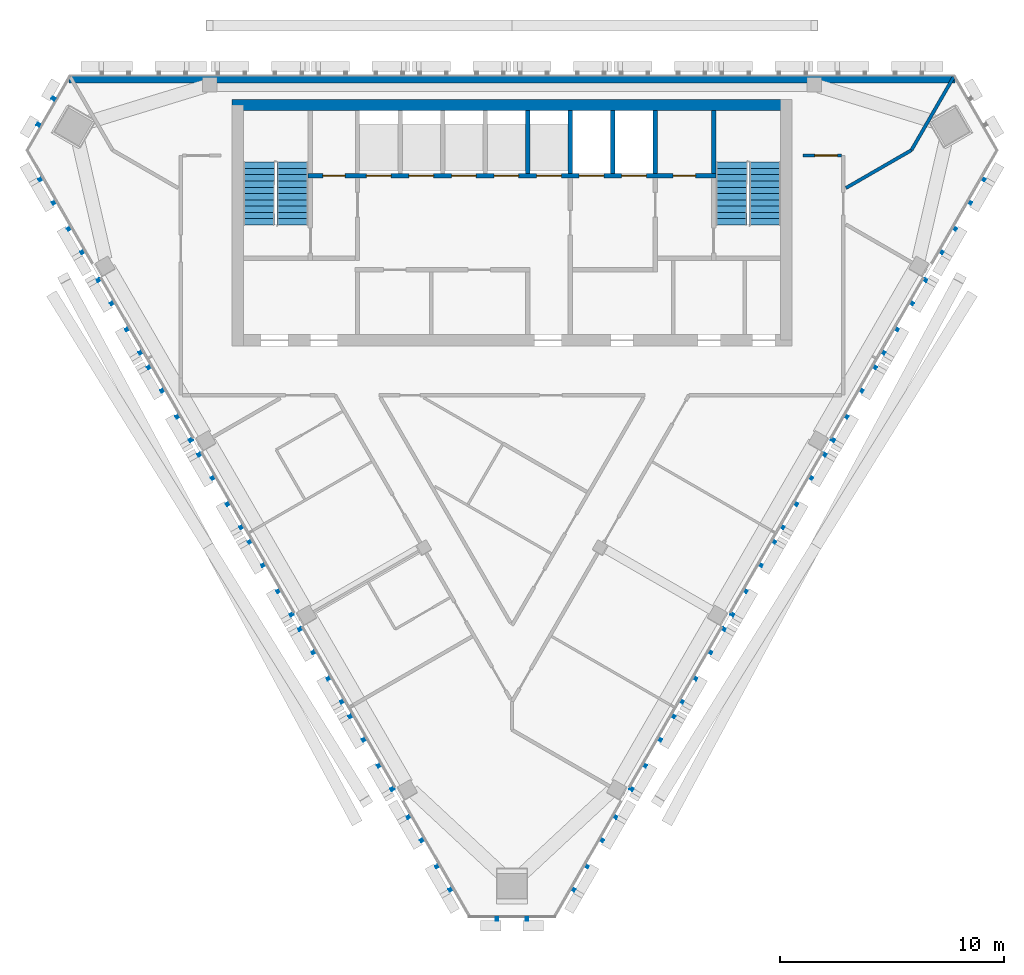
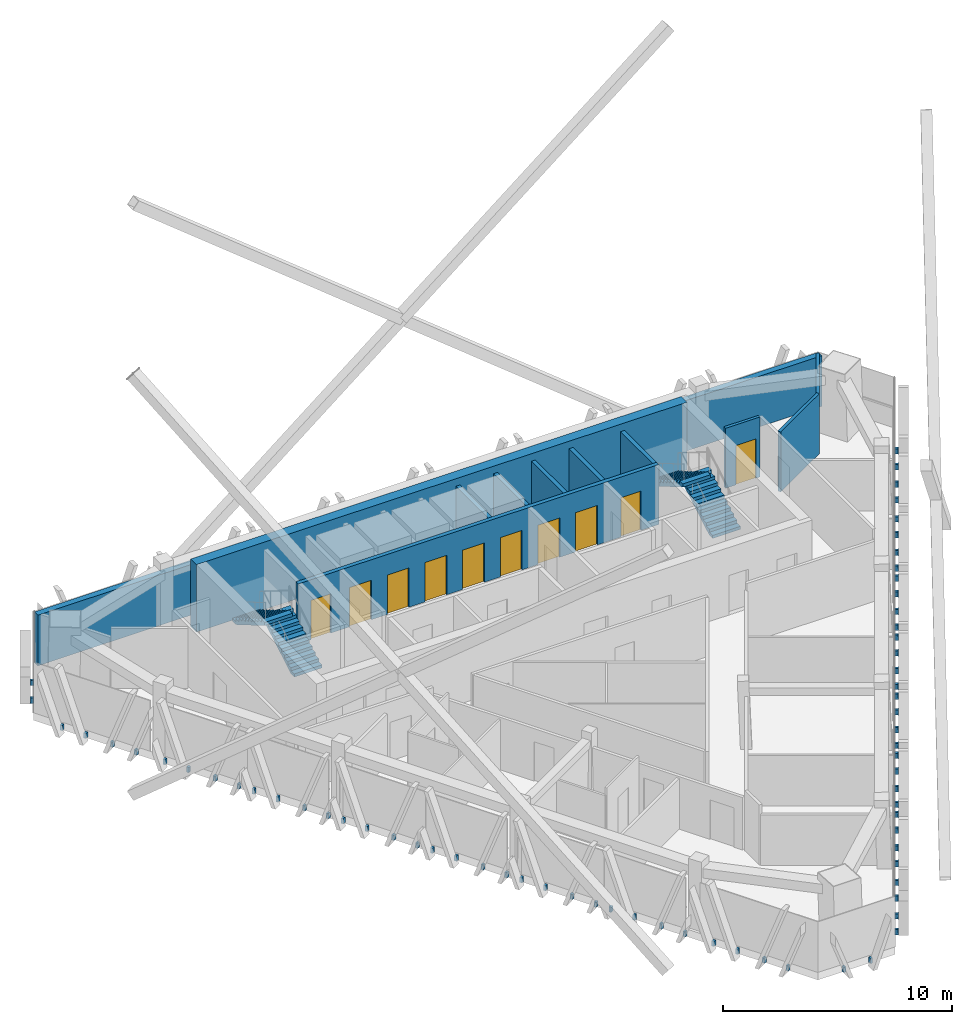
# One storey, part 8 of 12: 11 walls, 10 doors, 4 discrete accessories, 4 stair flights, 10 openings, 2 elements without a shape of their own.
"""IFC4 building model written with IfcOpenShell, lengths in metres."""

from ifc_helpers import new_model, si_unit, direction, frame, frame_2d, origin, place, context, subcontext, project, spatial, polyline, rectangle, outline, extrude, source, transform, mapped, material, layer, layer_set, type_object, element, fill, aggregate, save


model = new_model("IFC4")

# Units and contexts
model_context = context("Model", 3, precision=1e-05, world=origin(), true_north=direction((0.0, 1.0)))
body_context = subcontext(model_context, "Body", "Model", "MODEL_VIEW")
ifc_project = project(units=[si_unit("LENGTHUNIT", "METRE"), si_unit("AREAUNIT", "SQUARE_METRE"), si_unit("VOLUMEUNIT", "CUBIC_METRE"), si_unit("PLANEANGLEUNIT", "RADIAN"), si_unit("MASSUNIT", "GRAM", prefix="KILO")], contexts=[model_context])

# Site, building, storey
site_placement = place(None, origin())
site = spatial("IfcSite", under=ifc_project, at=site_placement, CompositionType="ELEMENT")
building_placement = place(site_placement, origin())
building = spatial("IfcBuilding", under=site, at=building_placement, Name="Altiplano Prism Tower", CompositionType="ELEMENT")
storey_placement = place(building_placement, frame((0.0, 0.0, 313.0)))
storey = spatial("IfcBuildingStorey", under=building, at=storey_placement, Name="L81", CompositionType="ELEMENT", Elevation=313.0)

# Wall
ifc_material_1 = material(Name="Concrete C60/75", Category="concrete")
ifc_layer_1 = layer(ifc_material_1, 0.5)
ifc_layer_set_1 = layer_set([ifc_layer_1], Name="Concrete C60/75")
wall_type_1 = type_object("IfcWallType", Name="Core wall 500", PredefinedType="SHEAR", material=ifc_layer_set_1)
wall_1_placement = place(storey_placement, frame((97.25, 103.64990234375, 0.0), z_axis=(0.0, 0.0, 1.0), x_axis=(-1.0, 0.0, 0.0)))
element("IfcWall", 1, at=wall_1_placement, inside=storey, type_object=wall_type_1, Name="Core wall N L81", PredefinedType="SHEAR", context=body_context, shape_type="SweptSolid", body=[
    extrude(rectangle(XDim=24.75, YDim=0.5, at=frame_2d((12.375, 0.0))), origin(), (0.0, 0.0, 1.0), 3.60009765625),
])

# Wall, opening, door
ifc_material_2 = material(Name="Plasterboard on steel stud", Category="steel")
ifc_layer_2 = layer(ifc_material_2, 0.14990234375)
ifc_layer_set_2 = layer_set([ifc_layer_2], Name="Plasterboard on steel stud")
wall_type_2 = type_object("IfcWallType", Name="Partition 150 corridor", PredefinedType="PARTITIONING", material=ifc_layer_set_2)
wall_2_placement = place(storey_placement, frame((99.7255859375, 101.40087890625, 0.0), z_axis=(0.0, 0.0, 1.0), x_axis=(-1.0, 0.0, 0.0)))
wall_2 = element("IfcWall", 2, at=wall_2_placement, inside=storey, type_object=wall_type_2, Name="Partition P06 L81 014", PredefinedType="PARTITIONING", context=body_context, shape_type="SweptSolid", body=[
    extrude(rectangle(XDim=1.7255859375, YDim=0.14990234375, at=frame_2d((0.86279296875, 0.0))), origin(), (0.0, 0.0, 1.0), 3.199951171875),
])
opening_1_placement = place(wall_2_placement, frame((0.199951171875, 0.0, 0.0)))
opening_1 = element("IfcOpeningElement", 3, at=opening_1_placement, cuts=wall_2, Name="Opening D2406", PredefinedType="OPENING", context=body_context, shape_type="SweptSolid", body=[
    extrude(rectangle(XDim=1.0, YDim=2.10009765625, at=frame_2d((0.5, 1.050048828125))), frame((0.0, 0.08544921875, 0.0), z_axis=(0.0, -1.0, 0.0), x_axis=(1.0, 0.0, 0.0)), (0.0, 0.0, 1.0), 0.1708984375),
])
ifc_material_3 = material(Name="Timber", Category="wood")
door_type_1 = type_object("IfcDoorType", Name="Store door 1000 x 2100", OperationType="NOTDEFINED", PredefinedType="NOTDEFINED", material=ifc_material_3)
door_1_placement = place(opening_1_placement, origin())
door_1 = element("IfcDoor", 4, at=door_1_placement, inside=storey, type_object=door_type_1, Name="Door D2406", OperationType="SINGLE_SWING_RIGHT", OverallHeight=2.10009765625, OverallWidth=1.0, PredefinedType="NOTDEFINED", context=body_context, shape_type="SweptSolid", body=[
    extrude(rectangle(XDim=1.0, YDim=2.10009765625, at=frame_2d((0.5, 1.050048828125))), frame((0.0, 0.02490234375, 0.0), z_axis=(0.0, -1.0, 0.0), x_axis=(1.0, 0.0, 0.0)), (0.0, 0.0, 1.0), 0.050048828125),
])
fill(opening_1, door_1)

# Walls
ifc_layer_3 = layer(ifc_material_2, 0.14990234375)
ifc_layer_set_3 = layer_set([ifc_layer_3], Name="Plasterboard on steel stud")
wall_type_3 = type_object("IfcWallType", Name="Partition 150 party", PredefinedType="PARTITIONING", material=ifc_layer_set_3)
wall_3_placement = place(storey_placement, frame((104.720703125, 104.89990234375, 0.0), z_axis=(0.0, 0.0, 1.0), x_axis=(-0.499984077514, -0.866034596441, 0.0)))
element("IfcWall", 5, at=wall_3_placement, inside=storey, type_object=wall_type_3, Name="Partition P01 L81 035", PredefinedType="PARTITIONING", context=body_context, shape_type="SweptSolid", body=[
    extrude(rectangle(XDim=3.76953125, YDim=0.14990234375, at=frame_2d((1.884765625, 0.0))), origin(), (0.0, 0.0, 1.0), 2.699951171875),
])
wall_4_placement = place(storey_placement, frame((102.8359375, 101.63525390625, 0.0), z_axis=(0.0, 0.0, 1.0), x_axis=(-0.866026575979, -0.499997969693, 0.0)))
element("IfcWall", 6, at=wall_4_placement, inside=storey, type_object=wall_type_3, Name="Partition P01 L81 036", PredefinedType="PARTITIONING", context=body_context, shape_type="SweptSolid", body=[
    extrude(rectangle(XDim=3.375, YDim=0.14990234375, at=frame_2d((1.6875, 0.0))), origin(), (0.0, 0.0, 1.0), 3.199951171875),
])
ifc_layer_4 = layer(ifc_material_1, 0.199951171875)
ifc_layer_set_4 = layer_set([ifc_layer_4], Name="Concrete C60/75")
wall_type_4 = type_object("IfcWallType", Name="Shaft wall 200", PredefinedType="SOLIDWALL", material=ifc_layer_set_4)
for number, where, z_axis, x_axis, name in (
    (7, (85.699951171875, 100.60009765625, 0.0), (0.0, 0.0, 1.0), (0.0, 1.0, 0.0), "Shaft wall L81"),
    (8, (87.60009765625, 100.60009765625, 0.0), (0.0, 0.0, 1.0), (0.0, 1.0, 0.0), "Shaft wall L81"),
    (9, (89.5, 100.60009765625, 0.0), (0.0, 0.0, 1.0), (0.0, 1.0, 0.0), "Shaft wall L81"),
    (10, (91.39990234375, 100.60009765625, 0.0), (0.0, 0.0, 1.0), (0.0, 1.0, 0.0), "Shaft wall L81"),
):
    element("IfcWall", number, at=place(storey_placement, frame(where, z_axis=z_axis, x_axis=x_axis)), inside=storey, type_object=wall_type_4, Name=name, PredefinedType="SOLIDWALL", context=body_context, shape_type="SweptSolid", body=[
        extrude(rectangle(XDim=2.7998046875, YDim=0.199951171875, at=frame_2d((1.39990234375, 0.0))), origin(), (0.0, 0.0, 1.0), 3.199951171875),
    ])

# Wall, openings, doors
ifc_layer_5 = layer(ifc_material_1, 0.199951171875)
ifc_layer_set_5 = layer_set([ifc_layer_5], Name="Concrete C60/75")
wall_type_5 = type_object("IfcWallType", Name="Stair wall 200", PredefinedType="SOLIDWALL", material=ifc_layer_set_5)
wall_5_placement = place(storey_placement, frame((75.89990234375, 100.5, 0.0), z_axis=(0.0, 0.0, 1.0), x_axis=(1.0, 0.0, 0.0)))
wall_5 = element("IfcWall", 11, at=wall_5_placement, inside=storey, type_object=wall_type_5, Name="Stair wall L81", PredefinedType="SOLIDWALL", context=body_context, shape_type="SweptSolid", body=[
    extrude(rectangle(XDim=18.2001953125, YDim=0.199951171875, at=frame_2d((9.10009765625, 0.0))), origin(), (0.0, 0.0, 1.0), 3.199951171875),
])
opening_2_placement = place(wall_5_placement, frame((2.60009765625, 0.0, 0.0)))
opening_2 = element("IfcOpeningElement", 12, at=opening_2_placement, cuts=wall_5, Name="Opening LD-HL1-L81", PredefinedType="OPENING", context=body_context, shape_type="SweptSolid", body=[
    extrude(rectangle(XDim=1.10009765625, YDim=2.10009765625, at=frame_2d((0.550048828125, 1.050048828125))), frame((0.0, 0.1103515625, 0.0), z_axis=(0.0, -1.0, 0.0), x_axis=(1.0, 0.0, 0.0)), (0.0, 0.0, 1.0), 0.220947265625),
])
opening_3_placement = place(wall_5_placement, frame((4.5, 0.0, 0.0)))
opening_3 = element("IfcOpeningElement", 13, at=opening_3_placement, cuts=wall_5, Name="Opening LD-HL2-L81", PredefinedType="OPENING", context=body_context, shape_type="SweptSolid", body=[
    extrude(rectangle(XDim=1.10009765625, YDim=2.10009765625, at=frame_2d((0.550048828125, 1.050048828125))), frame((0.0, 0.1103515625, 0.0), z_axis=(0.0, -1.0, 0.0), x_axis=(1.0, 0.0, 0.0)), (0.0, 0.0, 1.0), 0.220947265625),
])
opening_4_placement = place(wall_5_placement, frame((6.39990234375, 0.0, 0.0)))
opening_4 = element("IfcOpeningElement", 14, at=opening_4_placement, cuts=wall_5, Name="Opening LD-HL3-L81", PredefinedType="OPENING", context=body_context, shape_type="SweptSolid", body=[
    extrude(rectangle(XDim=1.10009765625, YDim=2.10009765625, at=frame_2d((0.550048828125, 1.050048828125))), frame((0.0, 0.1103515625, 0.0), z_axis=(0.0, -1.0, 0.0), x_axis=(1.0, 0.0, 0.0)), (0.0, 0.0, 1.0), 0.220947265625),
])
opening_5_placement = place(wall_5_placement, frame((8.300048828125, 0.0, 0.0)))
opening_5 = element("IfcOpeningElement", 15, at=opening_5_placement, cuts=wall_5, Name="Opening LD-HL4-L81", PredefinedType="OPENING", context=body_context, shape_type="SweptSolid", body=[
    extrude(rectangle(XDim=1.10009765625, YDim=2.10009765625, at=frame_2d((0.550048828125, 1.050048828125))), frame((0.0, 0.1103515625, 0.0), z_axis=(0.0, -1.0, 0.0), x_axis=(1.0, 0.0, 0.0)), (0.0, 0.0, 1.0), 0.220947265625),
])
opening_6_placement = place(wall_5_placement, frame((10.199951171875, 0.0, 0.0)))
opening_6 = element("IfcOpeningElement", 16, at=opening_6_placement, cuts=wall_5, Name="Opening LD-HL5-L81", PredefinedType="OPENING", context=body_context, shape_type="SweptSolid", body=[
    extrude(rectangle(XDim=1.10009765625, YDim=2.10009765625, at=frame_2d((0.550048828125, 1.050048828125))), frame((0.0, 0.1103515625, 0.0), z_axis=(0.0, -1.0, 0.0), x_axis=(1.0, 0.0, 0.0)), (0.0, 0.0, 1.0), 0.220947265625),
])
opening_7_placement = place(wall_5_placement, frame((12.10009765625, 0.0, 0.0)))
opening_7 = element("IfcOpeningElement", 17, at=opening_7_placement, cuts=wall_5, Name="Opening LD-FF1-L81", PredefinedType="OPENING", context=body_context, shape_type="SweptSolid", body=[
    extrude(rectangle(XDim=1.10009765625, YDim=2.10009765625, at=frame_2d((0.550048828125, 1.050048828125))), frame((0.0, 0.1103515625, 0.0), z_axis=(0.0, -1.0, 0.0), x_axis=(1.0, 0.0, 0.0)), (0.0, 0.0, 1.0), 0.220947265625),
])
opening_8_placement = place(wall_5_placement, frame((14.0, 0.0, 0.0)))
opening_8 = element("IfcOpeningElement", 18, at=opening_8_placement, cuts=wall_5, Name="Opening LD-FF2-L81", PredefinedType="OPENING", context=body_context, shape_type="SweptSolid", body=[
    extrude(rectangle(XDim=1.10009765625, YDim=2.10009765625, at=frame_2d((0.550048828125, 1.050048828125))), frame((0.0, 0.1103515625, 0.0), z_axis=(0.0, -1.0, 0.0), x_axis=(1.0, 0.0, 0.0)), (0.0, 0.0, 1.0), 0.220947265625),
])
opening_9_placement = place(wall_5_placement, frame((0.64990234375, 0.0, 0.0)))
opening_9 = element("IfcOpeningElement", 19, at=opening_9_placement, cuts=wall_5, Name="Opening D3731", PredefinedType="OPENING", context=body_context, shape_type="SweptSolid", body=[
    extrude(rectangle(XDim=1.0, YDim=2.10009765625, at=frame_2d((0.5, 1.050048828125))), frame((0.0, 0.1103515625, 0.0), z_axis=(0.0, -1.0, 0.0), x_axis=(1.0, 0.0, 0.0)), (0.0, 0.0, 1.0), 0.220947265625),
])
opening_10_placement = place(wall_5_placement, frame((16.300048828125, 0.0, 0.0)))
opening_10 = element("IfcOpeningElement", 20, at=opening_10_placement, cuts=wall_5, Name="Opening D3732", PredefinedType="OPENING", context=body_context, shape_type="SweptSolid", body=[
    extrude(rectangle(XDim=1.0, YDim=2.10009765625, at=frame_2d((0.5, 1.050048828125))), frame((0.0, 0.1103515625, 0.0), z_axis=(0.0, -1.0, 0.0), x_axis=(1.0, 0.0, 0.0)), (0.0, 0.0, 1.0), 0.220947265625),
])
ifc_material_4 = material(Name="Fire-rated steel door", Category="steel")
door_type_2 = type_object("IfcDoorType", Name="Core room door 1000 x 2100", OperationType="NOTDEFINED", PredefinedType="NOTDEFINED", material=ifc_material_4)
door_2_placement = place(opening_9_placement, origin())
door_2 = element("IfcDoor", 21, at=door_2_placement, inside=storey, type_object=door_type_2, Name="Core room door D3731", OperationType="SINGLE_SWING_LEFT", OverallHeight=2.10009765625, OverallWidth=1.0, PredefinedType="NOTDEFINED", context=body_context, shape_type="SweptSolid", body=[
    extrude(rectangle(XDim=1.0, YDim=2.10009765625, at=frame_2d((0.5, 1.050048828125))), frame((0.0, 0.02490234375, 0.0), z_axis=(0.0, -1.0, 0.0), x_axis=(1.0, 0.0, 0.0)), (0.0, 0.0, 1.0), 0.050048828125),
])
fill(opening_9, door_2)
door_3_placement = place(opening_10_placement, origin())
door_3 = element("IfcDoor", 22, at=door_3_placement, inside=storey, type_object=door_type_2, Name="Core room door D3732", OperationType="SINGLE_SWING_RIGHT", OverallHeight=2.10009765625, OverallWidth=1.0, PredefinedType="NOTDEFINED", context=body_context, shape_type="SweptSolid", body=[
    extrude(rectangle(XDim=1.0, YDim=2.10009765625, at=frame_2d((0.5, 1.050048828125))), frame((0.0, 0.02490234375, 0.0), z_axis=(0.0, -1.0, 0.0), x_axis=(1.0, 0.0, 0.0)), (0.0, 0.0, 1.0), 0.050048828125),
])
fill(opening_10, door_3)
ifc_material_5 = material(Name="Stainless steel landing door", Category="steel")
door_type_3 = type_object("IfcDoorType", Name="Landing door 1100 x 2100", OperationType="NOTDEFINED", PredefinedType="NOTDEFINED", material=ifc_material_5)
door_4_placement = place(opening_2_placement, origin())
door_4 = element("IfcDoor", 23, at=door_4_placement, inside=storey, type_object=door_type_3, Name="Landing doors HL1", OperationType="SLIDING_TO_RIGHT", OverallHeight=2.10009765625, OverallWidth=1.10009765625, PredefinedType="NOTDEFINED", context=body_context, shape_type="SweptSolid", body=[
    extrude(rectangle(XDim=1.10009765625, YDim=2.10009765625, at=frame_2d((0.550048828125, 1.050048828125))), frame((0.0, 0.02490234375, 0.0), z_axis=(0.0, -1.0, 0.0), x_axis=(1.0, 0.0, 0.0)), (0.0, 0.0, 1.0), 0.050048828125),
])
fill(opening_2, door_4)
door_5_placement = place(opening_3_placement, origin())
door_5 = element("IfcDoor", 24, at=door_5_placement, inside=storey, type_object=door_type_3, Name="Landing doors HL2", OperationType="SLIDING_TO_LEFT", OverallHeight=2.10009765625, OverallWidth=1.10009765625, PredefinedType="NOTDEFINED", context=body_context, shape_type="SweptSolid", body=[
    extrude(rectangle(XDim=1.10009765625, YDim=2.10009765625, at=frame_2d((0.550048828125, 1.050048828125))), frame((0.0, 0.02490234375, 0.0), z_axis=(0.0, -1.0, 0.0), x_axis=(1.0, 0.0, 0.0)), (0.0, 0.0, 1.0), 0.050048828125),
])
fill(opening_3, door_5)
door_6_placement = place(opening_4_placement, origin())
door_6 = element("IfcDoor", 25, at=door_6_placement, inside=storey, type_object=door_type_3, Name="Landing doors HL3", OperationType="SLIDING_TO_RIGHT", OverallHeight=2.10009765625, OverallWidth=1.10009765625, PredefinedType="NOTDEFINED", context=body_context, shape_type="SweptSolid", body=[
    extrude(rectangle(XDim=1.10009765625, YDim=2.10009765625, at=frame_2d((0.550048828125, 1.050048828125))), frame((0.0, 0.02490234375, 0.0), z_axis=(0.0, -1.0, 0.0), x_axis=(1.0, 0.0, 0.0)), (0.0, 0.0, 1.0), 0.050048828125),
])
fill(opening_4, door_6)
door_7_placement = place(opening_5_placement, origin())
door_7 = element("IfcDoor", 26, at=door_7_placement, inside=storey, type_object=door_type_3, Name="Landing doors HL4", OperationType="SLIDING_TO_LEFT", OverallHeight=2.10009765625, OverallWidth=1.10009765625, PredefinedType="NOTDEFINED", context=body_context, shape_type="SweptSolid", body=[
    extrude(rectangle(XDim=1.10009765625, YDim=2.10009765625, at=frame_2d((0.550048828125, 1.050048828125))), frame((0.0, 0.02490234375, 0.0), z_axis=(0.0, -1.0, 0.0), x_axis=(1.0, 0.0, 0.0)), (0.0, 0.0, 1.0), 0.050048828125),
])
fill(opening_5, door_7)
door_8_placement = place(opening_6_placement, origin())
door_8 = element("IfcDoor", 27, at=door_8_placement, inside=storey, type_object=door_type_3, Name="Landing doors HL5", OperationType="SLIDING_TO_RIGHT", OverallHeight=2.10009765625, OverallWidth=1.10009765625, PredefinedType="NOTDEFINED", context=body_context, shape_type="SweptSolid", body=[
    extrude(rectangle(XDim=1.10009765625, YDim=2.10009765625, at=frame_2d((0.550048828125, 1.050048828125))), frame((0.0, 0.02490234375, 0.0), z_axis=(0.0, -1.0, 0.0), x_axis=(1.0, 0.0, 0.0)), (0.0, 0.0, 1.0), 0.050048828125),
])
fill(opening_6, door_8)
door_9_placement = place(opening_7_placement, origin())
door_9 = element("IfcDoor", 28, at=door_9_placement, inside=storey, type_object=door_type_3, Name="Landing doors FF1", OperationType="SLIDING_TO_RIGHT", OverallHeight=2.10009765625, OverallWidth=1.10009765625, PredefinedType="NOTDEFINED", context=body_context, shape_type="SweptSolid", body=[
    extrude(rectangle(XDim=1.10009765625, YDim=2.10009765625, at=frame_2d((0.550048828125, 1.050048828125))), frame((0.0, 0.02490234375, 0.0), z_axis=(0.0, -1.0, 0.0), x_axis=(1.0, 0.0, 0.0)), (0.0, 0.0, 1.0), 0.050048828125),
])
fill(opening_7, door_9)
door_10_placement = place(opening_8_placement, origin())
door_10 = element("IfcDoor", 29, at=door_10_placement, inside=storey, type_object=door_type_3, Name="Landing doors FF2", OperationType="SLIDING_TO_LEFT", OverallHeight=2.10009765625, OverallWidth=1.10009765625, PredefinedType="NOTDEFINED", context=body_context, shape_type="SweptSolid", body=[
    extrude(rectangle(XDim=1.10009765625, YDim=2.10009765625, at=frame_2d((0.550048828125, 1.050048828125))), frame((0.0, 0.02490234375, 0.0), z_axis=(0.0, -1.0, 0.0), x_axis=(1.0, 0.0, 0.0)), (0.0, 0.0, 1.0), 0.050048828125),
])
fill(opening_8, door_10)

# Walls
wall_6_placement = place(storey_placement, frame((94.0, 100.60009765625, 0.0), z_axis=(0.0, 0.0, 1.0), x_axis=(0.0, 1.0, 0.0)))
element("IfcWall", 30, at=wall_6_placement, inside=storey, type_object=wall_type_5, Name="Stair wall L81", PredefinedType="SOLIDWALL", context=body_context, shape_type="SweptSolid", body=[
    extrude(rectangle(XDim=2.7998046875, YDim=0.199951171875, at=frame_2d((1.39990234375, 0.0))), origin(), (0.0, 0.0, 1.0), 3.199951171875),
])
ifc_material_6 = material(Name="Concrete C40", Category="concrete")
ifc_layer_6 = layer(ifc_material_6, 0.300048828125)
ifc_layer_set_6 = layer_set([ifc_layer_6], Name="Concrete C40")
wall_type_6 = type_object("IfcWallType", Name="Stone-clad external wall 300", PredefinedType="SOLIDWALL", material=ifc_layer_set_6)
wall_7_placement = place(storey_placement, frame((65.221435546875, 104.7900390625, 0.0), z_axis=(0.0, 0.0, 1.0), x_axis=(1.0, 0.0, 0.0)))
element("IfcWall", 31, at=wall_7_placement, inside=storey, type_object=wall_type_6, Name="External wall north face L81", PredefinedType="SOLIDWALL", context=body_context, shape_type="SweptSolid", body=[
    extrude(rectangle(XDim=39.55712890625, YDim=0.300048828125, at=frame_2d((19.778564453125, 0.0))), origin(), (0.0, 0.0, 1.0), 2.699951171875),
])

# Stair, stair flights
ifc_material_7 = material(Name="Concrete C40/50", Category="concrete")
stair_type = type_object("IfcStairType", Name="Exit stair 1400", PredefinedType="HALF_TURN_STAIR", material=ifc_material_7)
stair_1_placement = place(storey_placement, origin())
stair_1 = element("IfcStair", 32, at=stair_1_placement, inside=storey, type_object=stair_type, Name="L81 Exit Stair 1", PredefinedType="HALF_TURN_STAIR")
stair_flight_type = type_object("IfcStairFlightType", Name="Stair flight concrete 150", PredefinedType="STRAIGHT", material=ifc_material_7)
stair_flight_1_placement = place(storey_placement, frame((75.199951171875, 98.300048828125, 0.0), z_axis=(0.0, 0.0, 1.0), x_axis=(0.0, 1.0, 0.0)))
stair_flight_1 = element("IfcStairFlight", 33, at=stair_flight_1_placement, type_object=stair_flight_type, Name="ST1 flight 1", NumberOfRisers=11, NumberOfTreads=10, PredefinedType="STRAIGHT", RiserHeight=0.163636364, TreadLength=0.28, context=body_context, shape_type="SweptSolid", body=[
    extrude(outline(polyline([(0.0, 0.0), (0.0, 0.16357421875), (0.280029296875, 0.16357421875), (0.280029296875, 0.327392578125), (0.56005859375, 0.327392578125), (0.56005859375, 0.490966796875), (0.840087890625, 0.490966796875), (0.840087890625, 0.654541015625), (1.1201171875, 0.654541015625), (1.1201171875, 0.818115234375), (1.39990234375, 0.818115234375), (1.39990234375, 0.98193359375), (1.679931640625, 0.98193359375), (1.679931640625, 1.1455078125), (1.9599609375, 1.1455078125), (1.9599609375, 1.30908203125), (2.239990234375, 1.30908203125), (2.239990234375, 1.47265625), (2.52001953125, 1.47265625), (2.52001953125, 1.636474609375), (2.800048828125, 1.636474609375), (2.800048828125, 1.800048828125), (2.800048828125, 1.462646484375), (0.297119140625, 0.0), (0.0, 0.0)])), frame((0.0, 0.699951171875, 0.0), z_axis=(0.0, -1.0, 0.0), x_axis=(1.0, 0.0, 0.0)), (0.0, 0.0, 1.0), 1.39990234375),
])
stair_flight_2_placement = place(storey_placement, frame((73.699951171875, 101.10009765625, 1.800048828125), z_axis=(0.0, 0.0, 1.0), x_axis=(0.0, -1.0, 0.0)))
stair_flight_2 = element("IfcStairFlight", 34, at=stair_flight_2_placement, type_object=stair_flight_type, Name="ST1 flight 2", NumberOfRisers=11, NumberOfTreads=10, PredefinedType="STRAIGHT", RiserHeight=0.163636364, TreadLength=0.28, context=body_context, shape_type="SweptSolid", body=[
    extrude(outline(polyline([(0.0, 0.0), (0.0, 0.16357421875), (0.280029296875, 0.16357421875), (0.280029296875, 0.327392578125), (0.56005859375, 0.327392578125), (0.56005859375, 0.490966796875), (0.840087890625, 0.490966796875), (0.840087890625, 0.654541015625), (1.1201171875, 0.654541015625), (1.1201171875, 0.818115234375), (1.39990234375, 0.818115234375), (1.39990234375, 0.98193359375), (1.679931640625, 0.98193359375), (1.679931640625, 1.1455078125), (1.9599609375, 1.1455078125), (1.9599609375, 1.30908203125), (2.239990234375, 1.30908203125), (2.239990234375, 1.47265625), (2.52001953125, 1.47265625), (2.52001953125, 1.636474609375), (2.800048828125, 1.636474609375), (2.800048828125, 1.800048828125), (2.800048828125, 1.462646484375), (0.297119140625, 0.0), (0.0, 0.0)])), frame((0.0, 0.699951171875, 0.0), z_axis=(0.0, -1.0, 0.0), x_axis=(1.0, 0.0, 0.0)), (0.0, 0.0, 1.0), 1.39990234375),
])
aggregate(stair_1, [stair_flight_1, stair_flight_2])

stair_2_placement = place(storey_placement, origin())
stair_2 = element("IfcStair", 35, at=stair_2_placement, inside=storey, type_object=stair_type, Name="L81 Exit Stair 2", PredefinedType="HALF_TURN_STAIR")
stair_flight_3_placement = place(storey_placement, frame((96.300048828125, 98.300048828125, 0.0), z_axis=(0.0, 0.0, 1.0), x_axis=(0.0, 1.0, 0.0)))
stair_flight_3 = element("IfcStairFlight", 36, at=stair_flight_3_placement, type_object=stair_flight_type, Name="ST2 flight 1", NumberOfRisers=11, NumberOfTreads=10, PredefinedType="STRAIGHT", RiserHeight=0.163636364, TreadLength=0.28, context=body_context, shape_type="SweptSolid", body=[
    extrude(outline(polyline([(0.0, 0.0), (0.0, 0.16357421875), (0.280029296875, 0.16357421875), (0.280029296875, 0.327392578125), (0.56005859375, 0.327392578125), (0.56005859375, 0.490966796875), (0.840087890625, 0.490966796875), (0.840087890625, 0.654541015625), (1.1201171875, 0.654541015625), (1.1201171875, 0.818115234375), (1.39990234375, 0.818115234375), (1.39990234375, 0.98193359375), (1.679931640625, 0.98193359375), (1.679931640625, 1.1455078125), (1.9599609375, 1.1455078125), (1.9599609375, 1.30908203125), (2.239990234375, 1.30908203125), (2.239990234375, 1.47265625), (2.52001953125, 1.47265625), (2.52001953125, 1.636474609375), (2.800048828125, 1.636474609375), (2.800048828125, 1.800048828125), (2.800048828125, 1.462646484375), (0.297119140625, 0.0), (0.0, 0.0)])), frame((0.0, 0.699951171875, 0.0), z_axis=(0.0, -1.0, 0.0), x_axis=(1.0, 0.0, 0.0)), (0.0, 0.0, 1.0), 1.39990234375),
])
stair_flight_4_placement = place(storey_placement, frame((94.800048828125, 101.10009765625, 1.800048828125), z_axis=(0.0, 0.0, 1.0), x_axis=(0.0, -1.0, 0.0)))
stair_flight_4 = element("IfcStairFlight", 37, at=stair_flight_4_placement, type_object=stair_flight_type, Name="ST2 flight 2", NumberOfRisers=11, NumberOfTreads=10, PredefinedType="STRAIGHT", RiserHeight=0.163636364, TreadLength=0.28, context=body_context, shape_type="SweptSolid", body=[
    extrude(outline(polyline([(0.0, 0.0), (0.0, 0.16357421875), (0.280029296875, 0.16357421875), (0.280029296875, 0.327392578125), (0.56005859375, 0.327392578125), (0.56005859375, 0.490966796875), (0.840087890625, 0.490966796875), (0.840087890625, 0.654541015625), (1.1201171875, 0.654541015625), (1.1201171875, 0.818115234375), (1.39990234375, 0.818115234375), (1.39990234375, 0.98193359375), (1.679931640625, 0.98193359375), (1.679931640625, 1.1455078125), (1.9599609375, 1.1455078125), (1.9599609375, 1.30908203125), (2.239990234375, 1.30908203125), (2.239990234375, 1.47265625), (2.52001953125, 1.47265625), (2.52001953125, 1.636474609375), (2.800048828125, 1.636474609375), (2.800048828125, 1.800048828125), (2.800048828125, 1.462646484375), (0.297119140625, 0.0), (0.0, 0.0)])), frame((0.0, 0.699951171875, 0.0), z_axis=(0.0, -1.0, 0.0), x_axis=(1.0, 0.0, 0.0)), (0.0, 0.0, 1.0), 1.39990234375),
])
aggregate(stair_2, [stair_flight_3, stair_flight_4])

# Discrete accessories
ifc_material_8 = material(Name="Stainless steel", Category="steel")
discrete_accessory_type = type_object("IfcDiscreteAccessoryType", Name="Stone fin fixing prongs", PredefinedType="USERDEFINED", material=ifc_material_8)
shared_shape_1 = source(origin(), body_context, "Body", "SweptSolid", [
    extrude(outline(polyline([(-1.932861328125, 0.06005859375), (-1.812744140625, 0.06005859375), (-1.812744140625, 0.340087890625), (-1.932861328125, 0.340087890625), (-1.932861328125, 0.06005859375)])), frame((0.0, 0.0, 0.0), z_axis=(0.0, -1.0, 0.0), x_axis=(1.0, 0.0, 0.0)), (0.0, 0.0, 1.0), 0.14990234375),
    extrude(outline(polyline([(-0.73291015625, 0.06005859375), (-0.61279296875, 0.06005859375), (-0.61279296875, 0.340087890625), (-0.73291015625, 0.340087890625), (-0.73291015625, 0.06005859375)])), frame((0.0, 0.0, 0.0), z_axis=(0.0, -1.0, 0.0), x_axis=(1.0, 0.0, 0.0)), (0.0, 0.0, 1.0), 0.14990234375),
    extrude(outline(polyline([(0.61279296875, 0.06005859375), (0.73291015625, 0.06005859375), (0.73291015625, 0.340087890625), (0.61279296875, 0.340087890625), (0.61279296875, 0.06005859375)])), frame((0.0, 0.0, 0.0), z_axis=(0.0, -1.0, 0.0), x_axis=(1.0, 0.0, 0.0)), (0.0, 0.0, 1.0), 0.14990234375),
    extrude(outline(polyline([(1.812744140625, 0.06005859375), (1.932861328125, 0.06005859375), (1.932861328125, 0.340087890625), (1.812744140625, 0.340087890625), (1.812744140625, 0.06005859375)])), frame((0.0, 0.0, 0.0), z_axis=(0.0, -1.0, 0.0), x_axis=(1.0, 0.0, 0.0)), (0.0, 0.0, 1.0), 0.14990234375),
])
shared_shape_2 = source(origin(), body_context, "Body", "SweptSolid", [
    extrude(outline(polyline([(-1.932861328125, 0.06005859375), (-1.812744140625, 0.06005859375), (-1.812744140625, 0.340087890625), (-1.932861328125, 0.340087890625), (-1.932861328125, 0.06005859375)])), frame((0.0, 0.0, 0.0), z_axis=(0.0, -1.0, 0.0), x_axis=(1.0, 0.0, 0.0)), (0.0, 0.0, 1.0), 0.14990234375),
    extrude(outline(polyline([(-0.73291015625, 0.06005859375), (-0.61279296875, 0.06005859375), (-0.61279296875, 0.340087890625), (-0.73291015625, 0.340087890625), (-0.73291015625, 0.06005859375)])), frame((0.0, 0.0, 0.0), z_axis=(0.0, -1.0, 0.0), x_axis=(1.0, 0.0, 0.0)), (0.0, 0.0, 1.0), 0.14990234375),
    extrude(outline(polyline([(0.61279296875, 0.06005859375), (0.73291015625, 0.06005859375), (0.73291015625, 0.340087890625), (0.61279296875, 0.340087890625), (0.61279296875, 0.06005859375)])), frame((0.0, 0.0, 0.0), z_axis=(0.0, -1.0, 0.0), x_axis=(1.0, 0.0, 0.0)), (0.0, 0.0, 1.0), 0.14990234375),
    extrude(outline(polyline([(1.812744140625, 0.06005859375), (1.932861328125, 0.06005859375), (1.932861328125, 0.340087890625), (1.812744140625, 0.340087890625), (1.812744140625, 0.06005859375)])), frame((0.0, 0.0, 0.0), z_axis=(0.0, -1.0, 0.0), x_axis=(1.0, 0.0, 0.0)), (0.0, 0.0, 1.0), 0.14990234375),
])
discrete_accessory_1_placement = place(storey_placement, origin())
element("IfcDiscreteAccessory", 38, at=discrete_accessory_1_placement, inside=storey, type_object=discrete_accessory_type, Name="Fin fixings L81 south-west face", ObjectType="BRACKET", PredefinedType="USERDEFINED", context=body_context, shape_type="MappedRepresentation", body=[
    mapped(shared_shape_1, transform((64.948486328125, 98.743408203125, -0.39990234375), x_axis=(0.500000004206, -0.866025401356, 0.0), y_axis=(0.866025401356, 0.500000004206, 0.0), z_axis=(0.0, 0.0, 1.0))),
    mapped(shared_shape_2, transform((67.543212890625, 94.24951171875, -0.39990234375), x_axis=(0.500000004206, -0.866025401356, 0.0), y_axis=(0.866025401356, 0.500000004206, 0.0), z_axis=(0.0, 0.0, 1.0))),
    mapped(shared_shape_2, transform((69.793212890625, 90.352294921875, -0.39990234375), x_axis=(0.500000004206, -0.866025401356, 0.0), y_axis=(0.866025401356, 0.500000004206, 0.0), z_axis=(0.0, 0.0, 1.0))),
    mapped(shared_shape_2, transform((72.043212890625, 86.455322265625, -0.39990234375), x_axis=(0.500000004206, -0.866025401356, 0.0), y_axis=(0.866025401356, 0.500000004206, 0.0), z_axis=(0.0, 0.0, 1.0))),
    mapped(shared_shape_2, transform((74.293212890625, 82.55810546875, -0.39990234375), x_axis=(0.500000004206, -0.866025401356, 0.0), y_axis=(0.866025401356, 0.500000004206, 0.0), z_axis=(0.0, 0.0, 1.0))),
    mapped(shared_shape_2, transform((76.543212890625, 78.6611328125, -0.39990234375), x_axis=(0.500000004206, -0.866025401356, 0.0), y_axis=(0.866025401356, 0.500000004206, 0.0), z_axis=(0.0, 0.0, 1.0))),
    mapped(shared_shape_2, transform((78.793212890625, 74.763916015625, -0.39990234375), x_axis=(0.500000004206, -0.866025401356, 0.0), y_axis=(0.866025401356, 0.500000004206, 0.0), z_axis=(0.0, 0.0, 1.0))),
    mapped(shared_shape_1, transform((81.3876953125, 70.27001953125, -0.39990234375), x_axis=(0.500000004206, -0.866025401356, 0.0), y_axis=(0.866025401356, 0.500000004206, 0.0), z_axis=(0.0, 0.0, 1.0))),
])
discrete_accessory_2_placement = place(storey_placement, origin())
element("IfcDiscreteAccessory", 39, at=discrete_accessory_2_placement, inside=storey, type_object=discrete_accessory_type, Name="Fin fixings L81 south-east face", ObjectType="BRACKET", PredefinedType="USERDEFINED", context=body_context, shape_type="MappedRepresentation", body=[
    mapped(shared_shape_1, transform((88.6123046875, 70.27001953125, -0.39990234375), x_axis=(0.500000004206, 0.866025401356, 0.0), y_axis=(-0.866025401356, 0.500000004206, 0.0), z_axis=(0.0, 0.0, 1.0))),
    mapped(shared_shape_2, transform((91.206787109375, 74.763916015625, -0.39990234375), x_axis=(0.500000004206, 0.866025401356, 0.0), y_axis=(-0.866025401356, 0.500000004206, 0.0), z_axis=(0.0, 0.0, 1.0))),
    mapped(shared_shape_2, transform((93.456787109375, 78.6611328125, -0.39990234375), x_axis=(0.500000004206, 0.866025401356, 0.0), y_axis=(-0.866025401356, 0.500000004206, 0.0), z_axis=(0.0, 0.0, 1.0))),
    mapped(shared_shape_2, transform((95.706787109375, 82.55810546875, -0.39990234375), x_axis=(0.500000004206, 0.866025401356, 0.0), y_axis=(-0.866025401356, 0.500000004206, 0.0), z_axis=(0.0, 0.0, 1.0))),
    mapped(shared_shape_2, transform((97.956787109375, 86.455322265625, -0.39990234375), x_axis=(0.500000004206, 0.866025401356, 0.0), y_axis=(-0.866025401356, 0.500000004206, 0.0), z_axis=(0.0, 0.0, 1.0))),
    mapped(shared_shape_2, transform((100.206787109375, 90.352294921875, -0.39990234375), x_axis=(0.500000004206, 0.866025401356, 0.0), y_axis=(-0.866025401356, 0.500000004206, 0.0), z_axis=(0.0, 0.0, 1.0))),
    mapped(shared_shape_2, transform((102.456787109375, 94.24951171875, -0.39990234375), x_axis=(0.500000004206, 0.866025401356, 0.0), y_axis=(-0.866025401356, 0.500000004206, 0.0), z_axis=(0.0, 0.0, 1.0))),
    mapped(shared_shape_1, transform((105.051513671875, 98.743408203125, -0.39990234375), x_axis=(0.500000004206, 0.866025401356, 0.0), y_axis=(-0.866025401356, 0.500000004206, 0.0), z_axis=(0.0, 0.0, 1.0))),
])
shared_shape_3 = source(origin(), body_context, "Body", "SweptSolid", [
    extrude(outline(polyline([(-0.73291015625, 0.06005859375), (-0.61279296875, 0.06005859375), (-0.61279296875, 0.340087890625), (-0.73291015625, 0.340087890625), (-0.73291015625, 0.06005859375)])), frame((0.0, 0.0, 0.0), z_axis=(0.0, -1.0, 0.0), x_axis=(1.0, 0.0, 0.0)), (0.0, 0.0, 1.0), 0.14990234375),
    extrude(outline(polyline([(0.61279296875, 0.06005859375), (0.73291015625, 0.06005859375), (0.73291015625, 0.340087890625), (0.61279296875, 0.340087890625), (0.61279296875, 0.06005859375)])), frame((0.0, 0.0, 0.0), z_axis=(0.0, -1.0, 0.0), x_axis=(1.0, 0.0, 0.0)), (0.0, 0.0, 1.0), 0.14990234375),
])
discrete_accessory_3_placement = place(storey_placement, origin())
element("IfcDiscreteAccessory", 40, at=discrete_accessory_3_placement, inside=storey, type_object=discrete_accessory_type, Name="Fin fixings L81 north-west chamfer", ObjectType="BRACKET", PredefinedType="USERDEFINED", context=body_context, shape_type="MappedRepresentation", body=[
    mapped(shared_shape_3, transform((64.250244140625, 103.317626953125, -0.39990234375), x_axis=(-0.499999977027, -0.866025417048, 0.0), y_axis=(0.866025417048, -0.499999977027, 0.0), z_axis=(0.0, 0.0, 1.0))),
])
discrete_accessory_4_placement = place(storey_placement, origin())
element("IfcDiscreteAccessory", 41, at=discrete_accessory_4_placement, inside=storey, type_object=discrete_accessory_type, Name="Fin fixings L81 south chamfer", ObjectType="BRACKET", PredefinedType="USERDEFINED", context=body_context, shape_type="MappedRepresentation", body=[
    mapped(shared_shape_3, transform((85.0, 67.378173828125, -0.39990234375), x_axis=(1.0, 0.0, 0.0), y_axis=(0.0, 1.0, 0.0), z_axis=(0.0, 0.0, 1.0))),
])

save(model, "model.ifc")
